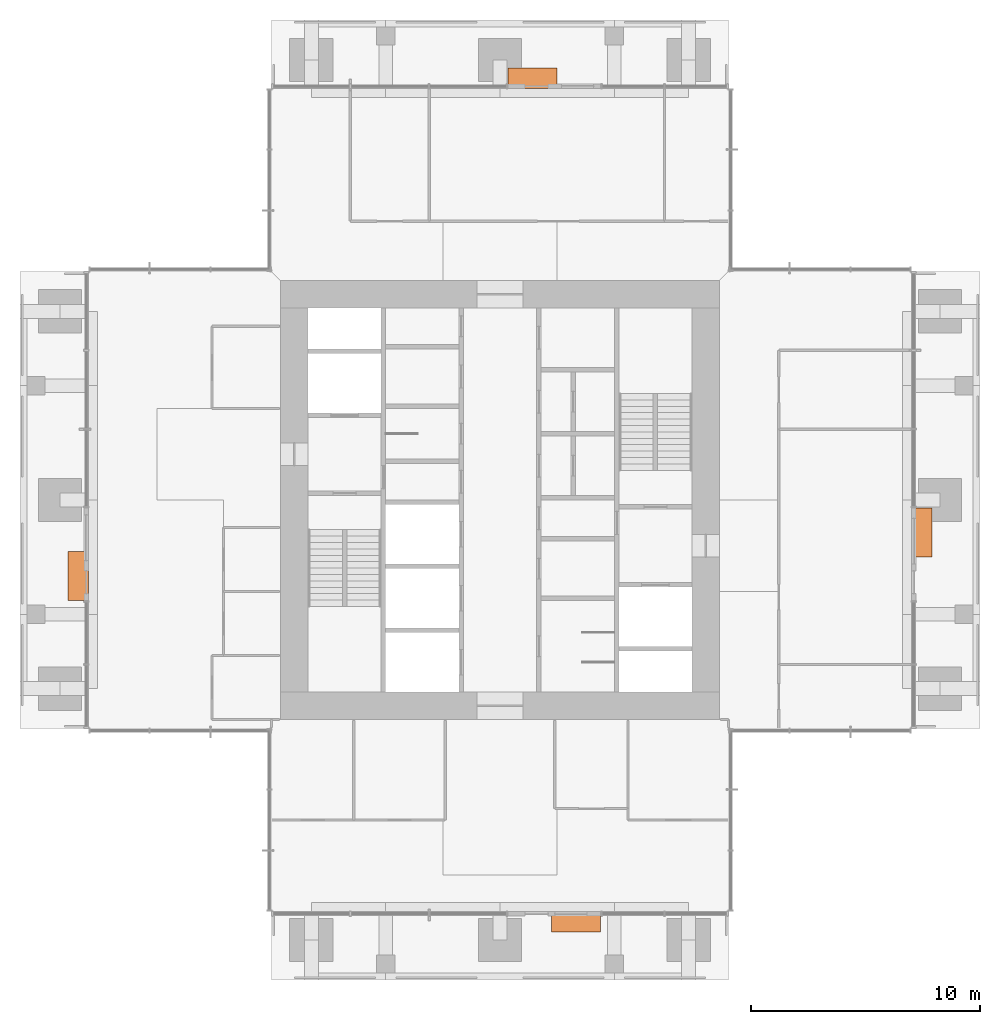
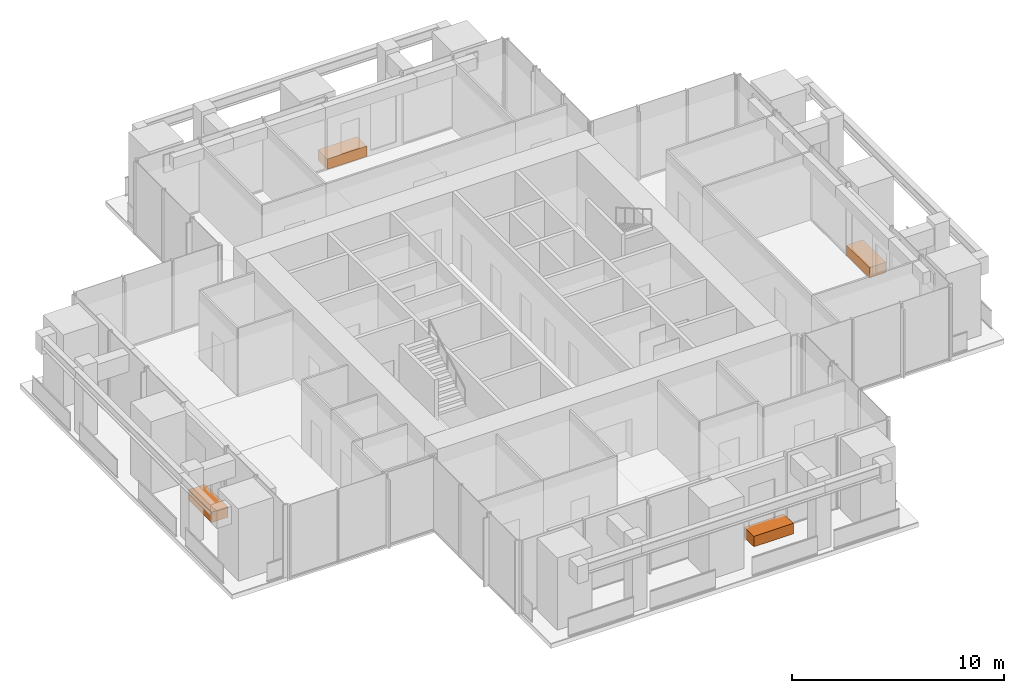
# One storey, part 12 of 12: 4 proxies.
"""IFC4 building model written with IfcOpenShell, lengths in metres."""

from ifc_helpers import new_model, si_unit, direction, frame, origin, origin_2d, place, context, subcontext, project, spatial, rectangle, extrude, element, save


model = new_model("IFC4")

# Units and contexts
model_context = context("Model", 3, precision=1e-05, world=origin(), true_north=direction((0.0, 1.0)))
body_context = subcontext(model_context, "Body", "Model", "MODEL_VIEW")
ifc_project = project(units=[si_unit("LENGTHUNIT", "METRE"), si_unit("AREAUNIT", "SQUARE_METRE"), si_unit("VOLUMEUNIT", "CUBIC_METRE"), si_unit("PLANEANGLEUNIT", "RADIAN"), si_unit("MASSUNIT", "GRAM", prefix="KILO")], contexts=[model_context])

# Site, building, storey
site_placement = place(None, origin())
site = spatial("IfcSite", under=ifc_project, at=site_placement, CompositionType="ELEMENT")
building_placement = place(site_placement, origin())
building = spatial("IfcBuilding", under=site, at=building_placement, Name="Svetlomir Tower", CompositionType="ELEMENT")
storey_placement = place(building_placement, frame((0.0, 0.0, 252.39990234375)))
storey = spatial("IfcBuildingStorey", under=building, at=storey_placement, Name="L60", CompositionType="ELEMENT", Elevation=252.39990234375)

# Proxies
proxy_1_placement = place(storey_placement, frame((24.324951171875, 2.550048828125, 0.0400390625), z_axis=(0.0, 0.0, 1.0), x_axis=(1.0, 0.0, 0.0)))
element("IfcBuildingElementProxy", 1, at=proxy_1_placement, inside=storey, Name="Tree planter S L60", ObjectType="PLANTER", PredefinedType="USERDEFINED", context=body_context, shape_type="SweptSolid", body=[
    extrude(rectangle(XDim=2.14990234375, YDim=0.89990234375, at=origin_2d()), origin(), (0.0, 0.0, 1.0), 0.60009765625),
])
proxy_2_placement = place(storey_placement, frame((39.449951171875, 19.574951171875, 0.0400390625), z_axis=(0.0, 0.0, 1.0), x_axis=(1.0, 0.0, 0.0)))
element("IfcBuildingElementProxy", 2, at=proxy_2_placement, inside=storey, Name="Tree planter E L60", ObjectType="PLANTER", PredefinedType="USERDEFINED", context=body_context, shape_type="SweptSolid", body=[
    extrude(rectangle(XDim=0.89990234375, YDim=2.14990234375, at=origin_2d()), origin(), (0.0, 0.0, 1.0), 0.60009765625),
])
proxy_3_placement = place(storey_placement, frame((22.425048828125, 39.449951171875, 0.0400390625), z_axis=(0.0, 0.0, 1.0), x_axis=(1.0, 0.0, 0.0)))
element("IfcBuildingElementProxy", 3, at=proxy_3_placement, inside=storey, Name="Tree planter N L60", ObjectType="PLANTER", PredefinedType="USERDEFINED", context=body_context, shape_type="SweptSolid", body=[
    extrude(rectangle(XDim=2.14990234375, YDim=0.89990234375, at=origin_2d()), origin(), (0.0, 0.0, 1.0), 0.60009765625),
])
proxy_4_placement = place(storey_placement, frame((2.550048828125, 17.675048828125, 0.0400390625), z_axis=(0.0, 0.0, 1.0), x_axis=(1.0, 0.0, 0.0)))
element("IfcBuildingElementProxy", 4, at=proxy_4_placement, inside=storey, Name="Tree planter W L60", ObjectType="PLANTER", PredefinedType="USERDEFINED", context=body_context, shape_type="SweptSolid", body=[
    extrude(rectangle(XDim=0.89990234375, YDim=2.14990234375, at=origin_2d()), origin(), (0.0, 0.0, 1.0), 0.60009765625),
])

save(model, "model.ifc")
